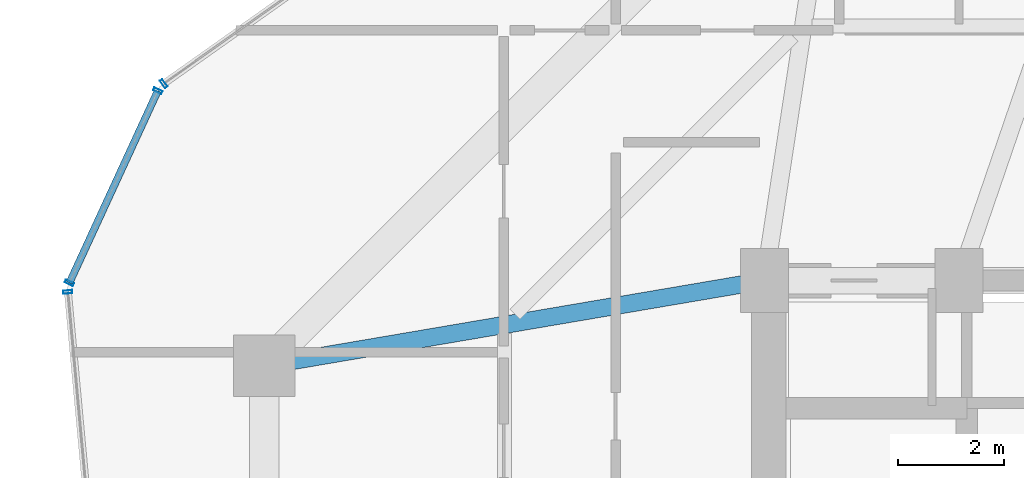
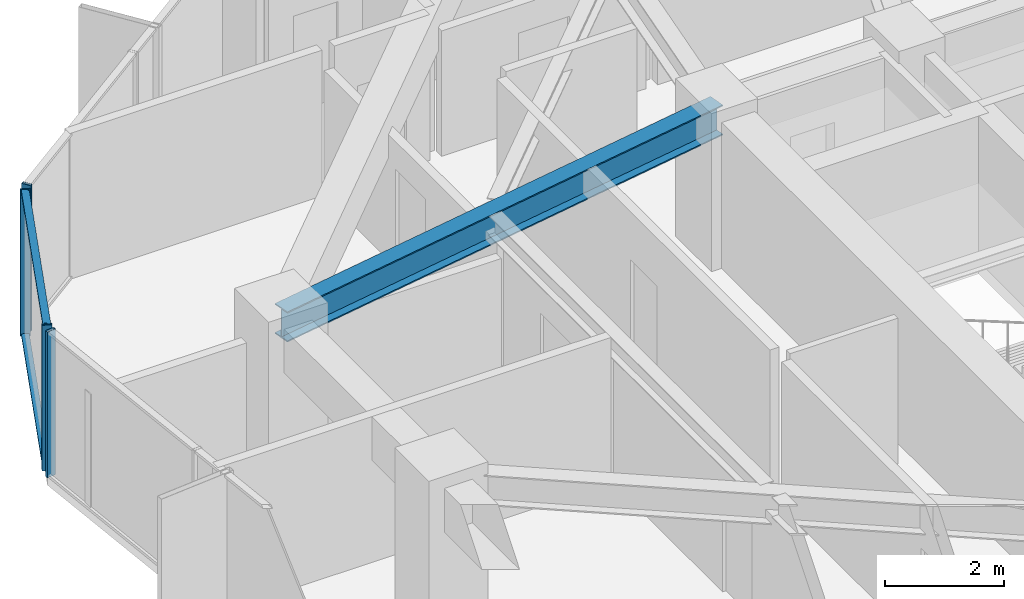
# One storey, part 13 of 33: 6 members, 1 beam, 3 elements without a shape of their own.
"""IFC4 building model written with IfcOpenShell, lengths in metres."""

from ifc_helpers import new_model, si_unit, direction, frame, origin, origin_2d, place, context, subcontext, project, spatial, hollow_rectangle, i_section, extrude, source, transform, mapped, material, layer, layer_set, material_profile, profile_set, type_object, element, aggregate, save


model = new_model("IFC4")

# Units and contexts
model_context = context("Model", 3, precision=1e-05, world=origin(), true_north=direction((0.0, 1.0)))
body_context = subcontext(model_context, "Body", "Model", "MODEL_VIEW")
ifc_project = project(units=[si_unit("LENGTHUNIT", "METRE"), si_unit("AREAUNIT", "SQUARE_METRE"), si_unit("VOLUMEUNIT", "CUBIC_METRE"), si_unit("PLANEANGLEUNIT", "RADIAN"), si_unit("MASSUNIT", "GRAM", prefix="KILO")], contexts=[model_context])

# Site, building, storey
site_placement = place(None, origin())
site = spatial("IfcSite", under=ifc_project, at=site_placement, CompositionType="ELEMENT")
building_placement = place(site_placement, origin())
building = spatial("IfcBuilding", under=site, at=building_placement, Name="Veraguas Prism Commons", CompositionType="ELEMENT")
storey_placement = place(building_placement, frame((0.0, 0.0, 145.75)))
storey = spatial("IfcBuildingStorey", under=building, at=storey_placement, Name="L41", CompositionType="ELEMENT", Elevation=145.75)

# Beam
ifc_material_1 = material(Name="Steel ASTM A992 Grade 50", Category="steel")
ifc_material_profile_1 = material_profile(ifc_material_1, i_section(OverallWidth=0.327880859375, OverallDepth=0.6220703125, WebThickness=0.015380859375, FlangeThickness=0.0244140625, at=origin_2d()), Name="W610X195")
ifc_profile_set_1 = profile_set([ifc_material_profile_1], Name="Steel ASTM A992 Grade 50")
beam_type = type_object("IfcBeamType", Name="Zone 2 Radial Girder W610x195", PredefinedType="BEAM", material=ifc_profile_set_1)
beam_placement = place(storey_placement, frame((7.800048828125, 29.39990234375, 2.68896484375), z_axis=(0.985819187151, 0.1678109956, 0.0), x_axis=(-0.1678109956, 0.985819187151, 0.0)))
element("IfcBeam", 1, at=beam_placement, inside=storey, type_object=beam_type, Name="Radial Floor Girder L41-RD07", PredefinedType="BEAM", context=body_context, shape_type="SweptSolid", body=[
    extrude(i_section(OverallWidth=0.327880859375, OverallDepth=0.6220703125, WebThickness=0.015380859375, FlangeThickness=0.0244140625, at=origin_2d()), origin(), (0.0, 0.0, 1.0), 9.53515625),
])

# Curtain wall, member
ifc_material_2 = material(Name="Anodised aluminium EN AW-6063 T6", Category="aluminium")
ifc_layer = layer(ifc_material_2, 0.169921875, Name="Unitised Flush Curtain Wall Zone 2", Category="aluminium")
ifc_layer_set = layer_set([ifc_layer], Name="Anodised aluminium EN AW-6063 T6")
curtain_wall_type = type_object("IfcCurtainWallType", Name="Unitised Flush Curtain Wall Zone 2", PredefinedType="NOTDEFINED", material=ifc_layer_set)
curtain_wall_1_placement = place(storey_placement, origin())
curtain_wall_1 = element("IfcCurtainWall", 2, at=curtain_wall_1_placement, inside=storey, type_object=curtain_wall_type, Name="Tower Facade Curtain Wall L41-F2", PredefinedType="NOTDEFINED")
ifc_material_profile_2 = material_profile(ifc_material_2, hollow_rectangle(XDim=0.06005859375, YDim=0.169921875, WallThickness=0.00390625, at=origin_2d()), Name="AL60X170X4")
ifc_profile_set_2 = profile_set([ifc_material_profile_2], Name="Anodised aluminium EN AW-6063 T6")
member_type_1 = type_object("IfcMemberType", Name="Curtain Wall Mullion Lower AL 60x170x4", PredefinedType="MULLION", material=ifc_profile_set_2)
shared_shape_1 = source(origin(), body_context, "Body", "SweptSolid", [
    extrude(hollow_rectangle(XDim=0.06005859375, YDim=0.169921875, WallThickness=0.00390625, at=origin_2d()), origin(), (0.0, 0.0, 1.0), 3.0),
])
member_1_placement = place(storey_placement, frame((5.91064453125, 34.69970703125, 0.0), z_axis=(0.0, 0.0, 1.0), x_axis=(-0.81634227487, -0.577568429072, 0.0)))
member_1 = element("IfcMember", 3, at=member_1_placement, type_object=member_type_1, Name="CW-Z2 Mullion 5", PredefinedType="MULLION", context=body_context, shape_type="MappedRepresentation", body=[
    mapped(shared_shape_1, transform((0.0, 0.0, 0.0), scale=1.0)),
])
aggregate(curtain_wall_1, [member_1])

curtain_wall_2_placement = place(storey_placement, origin())
curtain_wall_2 = element("IfcCurtainWall", 4, at=curtain_wall_2_placement, inside=storey, type_object=curtain_wall_type, Name="Tower Facade Curtain Wall L41-F3", PredefinedType="NOTDEFINED")
member_2_placement = place(storey_placement, frame((4.108642578125, 30.78564453125, 0.0), z_axis=(0.0, 0.0, 1.0), x_axis=(0.092024746261, -0.995756720327, 0.0)))
member_2 = element("IfcMember", 5, at=member_2_placement, type_object=member_type_1, Name="CW-Z2 Mullion 1", PredefinedType="MULLION", context=body_context, shape_type="MappedRepresentation", body=[
    mapped(shared_shape_1, transform((0.0, 0.0, 0.0), scale=1.0)),
])
aggregate(curtain_wall_2, [member_2])

# Curtain wall, members
curtain_wall_3_placement = place(storey_placement, origin())
curtain_wall_3 = element("IfcCurtainWall", 6, at=curtain_wall_3_placement, inside=storey, type_object=curtain_wall_type, Name="Chamfer Curtain Wall L41-C3", PredefinedType="NOTDEFINED")
member_3_placement = place(storey_placement, frame((5.799560546875, 34.56591796875, 0.0), z_axis=(0.0, 0.0, 1.0), x_axis=(-0.418181006731, -0.908363718787, 0.0)))
member_3 = element("IfcMember", 7, at=member_3_placement, type_object=member_type_1, Name="CW-Z2 Mullion 1", PredefinedType="MULLION", context=body_context, shape_type="MappedRepresentation", body=[
    mapped(shared_shape_1, transform((0.0, 0.0, 0.0), scale=1.0)),
])
member_4_placement = place(storey_placement, frame((4.137939453125, 30.956787109375, 0.0), z_axis=(0.0, 0.0, 1.0), x_axis=(-0.418181006731, -0.908363718787, 0.0)))
member_4 = element("IfcMember", 8, at=member_4_placement, type_object=member_type_1, Name="CW-Z2 Mullion 2", PredefinedType="MULLION", context=body_context, shape_type="MappedRepresentation", body=[
    mapped(shared_shape_1, transform((0.0, 0.0, 0.0), scale=1.0)),
])
ifc_material_profile_3 = material_profile(ifc_material_2, hollow_rectangle(XDim=0.054931640625, YDim=0.135009765625, WallThickness=0.0029296875, at=origin_2d()), Name="AL55X135X3")
ifc_profile_set_3 = profile_set([ifc_material_profile_3], Name="Anodised aluminium EN AW-6063 T6")
member_type_2 = type_object("IfcMemberType", Name="Curtain Wall Transom Standard AL 55x135x3", PredefinedType="USERDEFINED", material=ifc_profile_set_3)
shared_shape_2 = source(origin(), body_context, "Body", "SweptSolid", [
    extrude(hollow_rectangle(XDim=0.054931640625, YDim=0.135009765625, WallThickness=0.0029296875, at=origin_2d()), origin(), (0.0, 0.0, 1.0), 3.97314453125),
])
member_5_placement = place(storey_placement, frame((5.799560546875, 34.56591796875, 0.027587890625), z_axis=(-0.418200745549, -0.90835463142, 0.0), x_axis=(0.0, 0.0, 1.0)))
member_5 = element("IfcMember", 9, at=member_5_placement, type_object=member_type_2, Name="CW-Z2 Transom 1", ObjectType="TRANSOM", PredefinedType="USERDEFINED", context=body_context, shape_type="MappedRepresentation", body=[
    mapped(shared_shape_2, transform((0.0, 0.0, 0.0), scale=1.0)),
])
member_6_placement = place(storey_placement, frame((5.799560546875, 34.56591796875, 2.972412109375), z_axis=(-0.418200745549, -0.90835463142, 0.0), x_axis=(0.0, 0.0, 1.0)))
member_6 = element("IfcMember", 10, at=member_6_placement, type_object=member_type_2, Name="CW-Z2 Transom 2", ObjectType="TRANSOM", PredefinedType="USERDEFINED", context=body_context, shape_type="MappedRepresentation", body=[
    mapped(shared_shape_2, transform((0.0, 0.0, 0.0), scale=1.0)),
])
aggregate(curtain_wall_3, [member_3, member_4, member_5, member_6])

save(model, "model.ifc")
